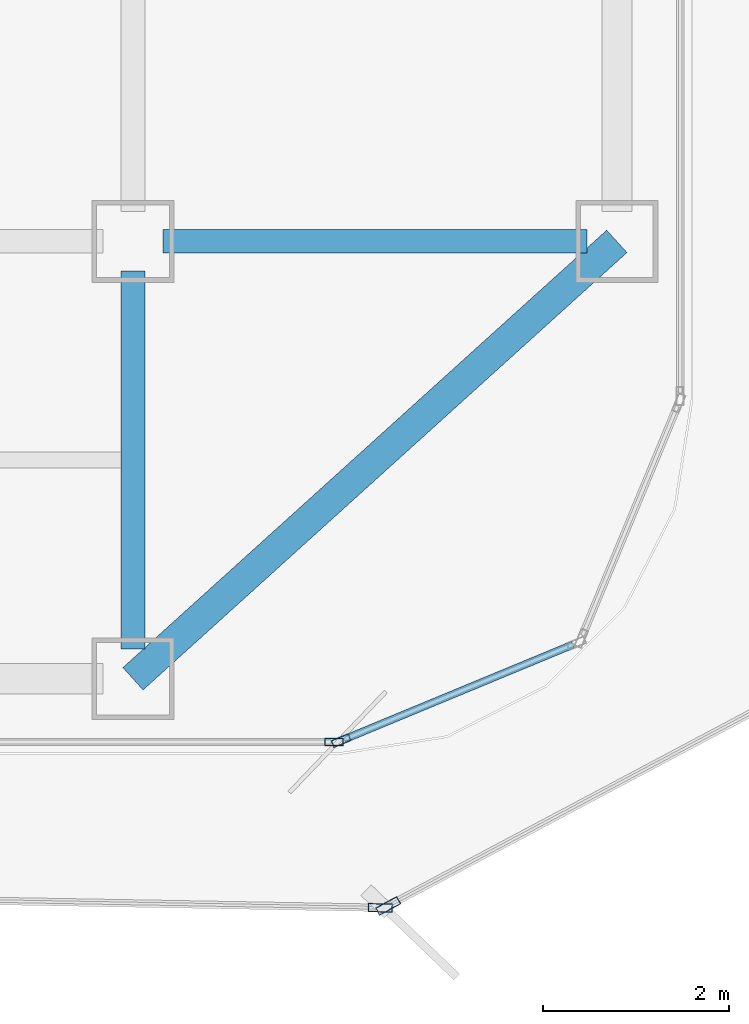
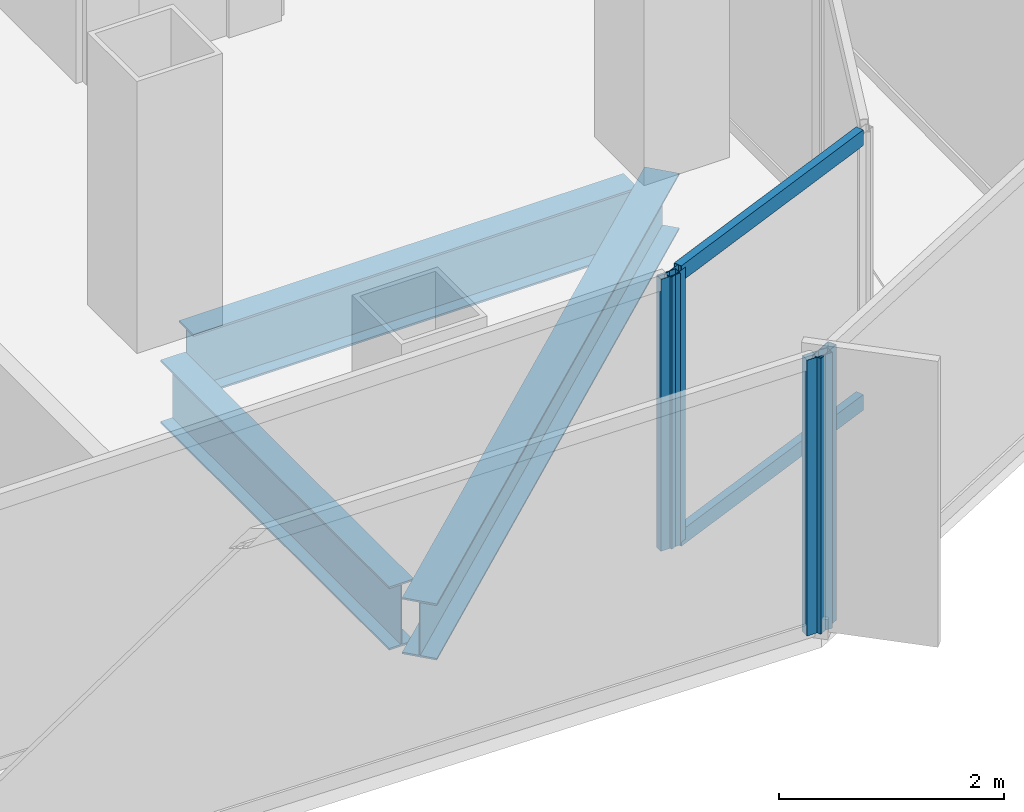
# One storey, part 6 of 21: 6 members, 3 beams, 4 elements without a shape of their own.
"""IFC4 building model written with IfcOpenShell, lengths in metres."""

import ifcopenshell
import ifcopenshell.guid

model = None  # the IFC model being written
_history = None  # IfcOwnerHistory: only IFC2X3 demands one
_inside = {}  # id of a spatial element -> (the spatial element, [elements in it])
_under = {}  # id of a project, library or spatial element -> (it, [spatial elements below it])
_declared = {}  # id of a project -> (the project, [libraries it declares])
_typed = {}  # id of a type object -> (the type object, [elements of that type])
_made_of = {}  # id of a material, layer set ... -> (it, [elements and type objects made of it])


def new_model(schema):
    """Start an empty IFC model of exactly this schema.

    Asked for "IFC4X3", IfcOpenShell would pick the latest addendum, in which some entities
    have other attributes; the version numbers below select the first issue.
    IFC2X3 requires an IfcOwnerHistory on every rooted entity: one is made here for all.
    """
    global model, _history
    if schema == "IFC4X3":
        model = ifcopenshell.file(schema_version=(4, 3, 0, 0))
    else:
        model = ifcopenshell.file(schema=schema)
    _inside.clear()
    _under.clear()
    _declared.clear()
    _typed.clear()
    _made_of.clear()
    _history = None
    if model.schema == "IFC2X3":
        org = make("IfcOrganization", Name="unknown")
        user = make(
            "IfcPersonAndOrganization",
            ThePerson=make("IfcPerson", FamilyName="unknown"),
            TheOrganization=org,
        )
        app = make(
            "IfcApplication",
            ApplicationDeveloper=org,
            Version="unknown",
            ApplicationFullName="unknown",
            ApplicationIdentifier="unknown",
        )
        _history = make(
            "IfcOwnerHistory",
            OwningUser=user,
            OwningApplication=app,
            ChangeAction="ADDED",
            CreationDate=0,
        )
    return model


def make(cls, **values):
    """One entity of the class cls with the attributes given. An attribute that is None is left unset."""
    return model.create_entity(
        cls, **{name: value for name, value in values.items() if value is not None}
    )


def rooted(cls, **values):
    """An entity with a GlobalId (a new one), such as an element, a storey or a relation."""
    return make(cls, GlobalId=ifcopenshell.guid.new(), OwnerHistory=_history, **values)


def si_unit(unit_type, name, prefix=None):
    """IfcSIUnit, for example si_unit("LENGTHUNIT", "METRE", prefix="MILLI")."""
    return make("IfcSIUnit", UnitType=unit_type, Prefix=prefix, Name=name)


def assignment(units):
    """IfcUnitAssignment: the units of a project."""
    return None if units is None else make("IfcUnitAssignment", Units=units)


def point(xyz):
    """IfcCartesianPoint."""
    return None if xyz is None else make("IfcCartesianPoint", Coordinates=xyz)


def direction(xyz):
    """IfcDirection."""
    return None if xyz is None else make("IfcDirection", DirectionRatios=xyz)


def frame(location, z_axis=None, x_axis=None):
    """IfcAxis2Placement3D, a coordinate frame: its origin and axes. An axis left out is left unset."""
    return make(
        "IfcAxis2Placement3D",
        Location=point(location),
        Axis=direction(z_axis),
        RefDirection=direction(x_axis),
    )


def frame_2d(location, x_axis=None):
    """IfcAxis2Placement2D, a coordinate frame in the plane: its origin and x axis."""
    return make(
        "IfcAxis2Placement2D", Location=point(location), RefDirection=direction(x_axis)
    )


def origin():
    """The frame at (0, 0, 0) with its axes left unset."""
    return frame((0.0, 0.0, 0.0))


def origin_2d():
    """The frame at (0, 0) in the plane with its x axis left unset."""
    return frame_2d((0.0, 0.0))


def place(relative_to, where):
    """IfcLocalPlacement: puts the frame where relative to a parent placement (None: the world)."""
    return make(
        "IfcLocalPlacement", PlacementRelTo=relative_to, RelativePlacement=where
    )


def context(
    kind, dimensions, precision=None, world=None, true_north=None, identifier=None
):
    """IfcGeometricRepresentationContext, for example the 3D "Model" context."""
    return make(
        "IfcGeometricRepresentationContext",
        ContextIdentifier=identifier,
        ContextType=kind,
        CoordinateSpaceDimension=dimensions,
        Precision=precision,
        WorldCoordinateSystem=world,
        TrueNorth=true_north,
    )


def subcontext(parent, identifier, kind, view, scale=None):
    """IfcGeometricRepresentationSubContext, for example "Body" below "Model"."""
    return make(
        "IfcGeometricRepresentationSubContext",
        ContextIdentifier=identifier,
        ContextType=kind,
        ParentContext=parent,
        TargetScale=scale,
        TargetView=view,
    )


def project(units=None, contexts=None):
    """IfcProject with its units and contexts."""
    return rooted(
        "IfcProject",
        Name="project",
        RepresentationContexts=contexts,
        UnitsInContext=assignment(units),
    )


def spatial(cls, under=None, at=None, **own):
    """A site, building, storey or space (cls), placed at a placement, below another one or the project."""
    s = rooted(cls, ObjectPlacement=at, **own)
    if under is not None:
        _under.setdefault(under.id(), (under, []))[1].append(s)
    return s


def profile(cls, at=None, kind="AREA", **sizes):
    """A parametric profile (cls). Its sizes go by their IFC names, for example OverallWidth=200.0."""
    return make(cls, ProfileType=kind, Position=at, **sizes)


def hollow_rectangle(**sizes):
    """IfcRectangleHollowProfileDef."""
    return profile("IfcRectangleHollowProfileDef", **sizes)


def i_section(**sizes):
    """IfcIShapeProfileDef."""
    return profile("IfcIShapeProfileDef", **sizes)


def extrude(swept, where, along, depth):
    """IfcExtrudedAreaSolid: the profile swept, set in the frame where, extruded along a direction by depth."""
    return make(
        "IfcExtrudedAreaSolid",
        SweptArea=swept,
        Position=where,
        ExtrudedDirection=direction(along),
        Depth=depth,
    )


def shape(context_of_items, identifier, shape_type, items):
    """IfcShapeRepresentation: the items that make up one representation, for example the "Body"."""
    return make(
        "IfcShapeRepresentation",
        ContextOfItems=context_of_items,
        RepresentationIdentifier=identifier,
        RepresentationType=shape_type,
        Items=items,
    )


def source(mapping_origin, context_of_items, identifier, shape_type, items):
    """IfcRepresentationMap: a shape defined once, which mapped items show again and again."""
    return make(
        "IfcRepresentationMap",
        MappingOrigin=mapping_origin,
        MappedRepresentation=shape(context_of_items, identifier, shape_type, items),
    )


def transform(
    local_origin,
    x_axis=None,
    y_axis=None,
    z_axis=None,
    scale=None,
    scale2=None,
    scale3=None,
    uniform=True,
):
    """IfcCartesianTransformationOperator3D, or its non-uniform kind. x_axis, y_axis, z_axis: its Axis1, 2, 3."""
    if uniform:
        return make(
            "IfcCartesianTransformationOperator3D",
            Axis1=direction(x_axis),
            Axis2=direction(y_axis),
            LocalOrigin=point(local_origin),
            Scale=scale,
            Axis3=direction(z_axis),
        )
    return make(
        "IfcCartesianTransformationOperator3DnonUniform",
        Axis1=direction(x_axis),
        Axis2=direction(y_axis),
        LocalOrigin=point(local_origin),
        Scale=scale,
        Axis3=direction(z_axis),
        Scale2=scale2,
        Scale3=scale3,
    )


def mapped(mapping_source, mapping_target):
    """IfcMappedItem: shows the shape of a source again, moved by a transform."""
    return make(
        "IfcMappedItem", MappingSource=mapping_source, MappingTarget=mapping_target
    )


def material(Name=None, Category=None):
    """IfcMaterial."""
    return make("IfcMaterial", Name=Name, Category=Category)


def layer(
    of_material, thickness, ventilated=None, Name=None, Category=None, Priority=None
):
    """IfcMaterialLayer: one layer of a wall or slab, of a material (None: an air gap)."""
    return make(
        "IfcMaterialLayer",
        Material=of_material,
        LayerThickness=thickness,
        IsVentilated=ventilated,
        Name=Name,
        Category=Category,
        Priority=Priority,
    )


def layer_set(layers, Name=None):
    """IfcMaterialLayerSet."""
    return make("IfcMaterialLayerSet", MaterialLayers=layers, LayerSetName=Name)


def material_profile(
    of_material, cross_section, Name=None, Category=None, Priority=None
):
    """IfcMaterialProfile: a cross section and its material."""
    return make(
        "IfcMaterialProfile",
        Name=Name,
        Material=of_material,
        Profile=cross_section,
        Priority=Priority,
        Category=Category,
    )


def profile_set(profiles, Name=None, composite=None):
    """IfcMaterialProfileSet."""
    return make(
        "IfcMaterialProfileSet",
        Name=Name,
        MaterialProfiles=profiles,
        CompositeProfile=composite,
    )


def made_of(thing, what):
    """Note that an element or type object is made of a material, layer set ...; save() writes the relation."""
    if what is not None:
        _made_of.setdefault(what.id(), (what, []))[1].append(thing)
    return thing


def type_object(cls, material=None, **own):
    """A type object (cls), such as IfcWallType, which elements share."""
    return made_of(rooted(cls, **own), material)


def element(
    cls,
    number,
    at=None,
    inside=None,
    cuts=None,
    type_object=None,
    material=None,
    context=None,
    identifier="Body",
    shape_type=None,
    held_by="IfcProductDefinitionShape",
    body=None,
    shapes=None,
    **own,
):
    """One element of the class cls, such as IfcWall. Its Tag is "e" and its number.

    at: its placement. inside: the storey or other place that contains it. cuts: it is an
    opening in that element (IfcRelVoidsElement). A single representation is given by context,
    identifier, shape_type and body (its items); several are given by shapes. held_by: the class
    of the entity that holds the representations. save() writes the other relations.
    """
    e = rooted(cls, Tag="e%d" % number, ObjectPlacement=at, **own)
    if body is not None:
        shapes = [shape(context, identifier, shape_type, body)]
    if shapes is not None:
        e.Representation = make(held_by, Representations=shapes)
    if inside is not None:
        _inside.setdefault(inside.id(), (inside, []))[1].append(e)
    if cuts is not None:
        rooted(
            "IfcRelVoidsElement", RelatingBuildingElement=cuts, RelatedOpeningElement=e
        )
    if type_object is not None:
        _typed.setdefault(type_object.id(), (type_object, []))[1].append(e)
    return made_of(e, material)


def aggregate(whole, parts):
    """IfcRelAggregates: a whole, such as a stair, and the parts it consists of."""
    return rooted("IfcRelAggregates", RelatingObject=whole, RelatedObjects=parts)


def save(model, path):
    """Write the relations noted so far, then the file.

    IfcRelAggregates (storeys below a building ...), IfcRelContainedInSpatialStructure (elements
    in a storey), IfcRelDefinesByType, IfcRelAssociatesMaterial and IfcRelDeclares: one each for
    every whole, place, type object, material and project.
    """
    for whole, parts in _under.values():
        aggregate(whole, parts)
    for where, things in _inside.values():
        rooted(
            "IfcRelContainedInSpatialStructure",
            RelatedElements=things,
            RelatingStructure=where,
        )
    for kind, things in _typed.values():
        rooted("IfcRelDefinesByType", RelatedObjects=things, RelatingType=kind)
    for what, things in _made_of.values():
        rooted("IfcRelAssociatesMaterial", RelatedObjects=things, RelatingMaterial=what)
    for by, libraries in _declared.values():
        rooted("IfcRelDeclares", RelatingContext=by, RelatedDefinitions=libraries)
    model.write(path)


model = new_model("IFC4")

# Units and contexts
model_context = context("Model", 3, precision=1e-05, world=origin(), true_north=direction((0.0, 1.0)))
body_context = subcontext(model_context, "Body", "Model", "MODEL_VIEW")
ifc_project = project(units=[si_unit("LENGTHUNIT", "METRE"), si_unit("AREAUNIT", "SQUARE_METRE"), si_unit("VOLUMEUNIT", "CUBIC_METRE"), si_unit("PLANEANGLEUNIT", "RADIAN"), si_unit("MASSUNIT", "GRAM", prefix="KILO")], contexts=[model_context])

# Site, building, storey
site_placement = place(None, origin())
site = spatial("IfcSite", under=ifc_project, at=site_placement, CompositionType="ELEMENT")
building_placement = place(site_placement, origin())
building = spatial("IfcBuilding", under=site, at=building_placement, Name="Kolveth Station Tower", CompositionType="ELEMENT")
storey_placement = place(building_placement, frame((0.0, 0.0, 127.89990234375)))
storey = spatial("IfcBuildingStorey", under=building, at=storey_placement, Name="L35", CompositionType="ELEMENT", Elevation=127.89990234375)

# Beams
ifc_material_1 = material(Name="Steel S355", Category="steel")
ifc_material_profile_1 = material_profile(ifc_material_1, i_section(OverallWidth=0.323974609375, OverallDepth=0.611083984375, WebThickness=0.0126953125, FlangeThickness=0.01904296875, at=origin_2d()), Name="W610x155")
ifc_profile_set_1 = profile_set([ifc_material_profile_1], Name="Steel S355")
beam_type_1 = type_object("IfcBeamType", Name="Beam_SP2", PredefinedType="SPANDREL", material=ifc_profile_set_1)
shared_shape_1 = source(origin(), body_context, "Body", "SweptSolid", [
    extrude(i_section(OverallWidth=0.323974609375, OverallDepth=0.611083984375, WebThickness=0.0126953125, FlangeThickness=0.01904296875, at=origin_2d()), origin(), (0.0, 0.0, 1.0), 7.00927734375),
])
beam_1_placement = place(storey_placement, frame((41.0, 0.800048828125, -0.555419921875), z_axis=(0.741874009795, 0.670539300557, 0.0), x_axis=(-0.670539300557, 0.741874009795, 0.0)))
element("IfcBeam", 1, at=beam_1_placement, inside=storey, type_object=beam_type_1, Name="L35 Corner Edge Girder BM-L35-CNR-SE", PredefinedType="SPANDREL", context=body_context, shape_type="MappedRepresentation", body=[
    mapped(shared_shape_1, transform((0.0, 0.0, 0.0), x_axis=(1.0, 0.0, 0.0), y_axis=(0.0, 1.0, 0.0), z_axis=(0.0, 0.0, 1.0), scale=1.0)),
])
ifc_material_profile_2 = material_profile(ifc_material_1, i_section(OverallWidth=0.25390625, OverallDepth=0.68798828125, WebThickness=0.01318359375, FlangeThickness=0.02099609375, at=origin_2d()), Name="W690x152")
ifc_profile_set_2 = profile_set([ifc_material_profile_2], Name="Steel S355")
beam_type_2 = type_object("IfcBeamType", Name="Beam_B4", PredefinedType="BEAM", material=ifc_profile_set_2)
shared_shape_2 = source(origin(), body_context, "Body", "SweptSolid", [
    extrude(i_section(OverallWidth=0.25390625, OverallDepth=0.68798828125, WebThickness=0.01318359375, FlangeThickness=0.02099609375, at=origin_2d()), origin(), (0.0, 0.0, 1.0), 4.559814453125),
])
beam_2_placement = place(storey_placement, frame((41.320068359375, 5.5, -0.593994140625), z_axis=(1.0, 0.0, 0.0), x_axis=(0.0, 1.0, 0.0)))
element("IfcBeam", 2, at=beam_2_placement, inside=storey, type_object=beam_type_2, Name="L35 Primary Girder BM-L35-GY55-7", PredefinedType="BEAM", context=body_context, shape_type="MappedRepresentation", body=[
    mapped(shared_shape_2, transform((0.0, 0.0, 0.0), x_axis=(1.0, 0.0, 0.0), y_axis=(0.0, 1.0, 0.0), z_axis=(0.0, 0.0, 1.0), scale=1.0)),
])
shared_shape_3 = source(origin(), body_context, "Body", "SweptSolid", [
    extrude(i_section(OverallWidth=0.25390625, OverallDepth=0.68798828125, WebThickness=0.01318359375, FlangeThickness=0.02099609375, at=origin_2d()), origin(), (0.0, 0.0, 1.0), 4.059814453125),
])
beam_3_placement = place(storey_placement, frame((41.0, 1.1201171875, -0.593994140625), z_axis=(0.0, 1.0, 0.0), x_axis=(-1.0, 0.0, 0.0)))
element("IfcBeam", 3, at=beam_3_placement, inside=storey, type_object=beam_type_2, Name="L35 Primary Girder BM-L35-GX410-1", PredefinedType="BEAM", context=body_context, shape_type="MappedRepresentation", body=[
    mapped(shared_shape_3, transform((0.0, 0.0, 0.0), x_axis=(1.0, 0.0, 0.0), y_axis=(0.0, 1.0, 0.0), z_axis=(0.0, 0.0, 1.0), scale=1.0)),
])

# Curtain wall, members
ifc_material_2 = material(Name="Aluminium 6063-T6 and low-E dark glass", Category="aluminium")
ifc_layer_1 = layer(ifc_material_2, 0.18994140625)
ifc_layer_set_1 = layer_set([ifc_layer_1], Name="Aluminium 6063-T6 and low-E dark glass")
curtain_wall_type_1 = type_object("IfcCurtainWallType", Name="CurtainWall_CW-Z2", PredefinedType="NOTDEFINED", material=ifc_layer_set_1)
curtain_wall_1_placement = place(storey_placement, origin())
curtain_wall_1 = element("IfcCurtainWall", 4, at=curtain_wall_1_placement, inside=storey, type_object=curtain_wall_type_1, Name="L35 Inner Thermal Curtain Wall 1", PredefinedType="NOTDEFINED")
ifc_material_3 = material(Name="Black anodized aluminium 6063-T6", Category="aluminium")
ifc_material_profile_3 = material_profile(ifc_material_3, hollow_rectangle(XDim=0.080078125, YDim=0.169921875, WallThickness=0.0048828125, at=origin_2d()), Name="ALU-80x170x5")
ifc_profile_set_3 = profile_set([ifc_material_profile_3], Name="Black anodized aluminium 6063-T6")
member_type_1 = type_object("IfcMemberType", Name="Transom_TR2", PredefinedType="USERDEFINED", material=ifc_profile_set_3)
shared_shape_4 = source(origin(), body_context, "Body", "SweptSolid", [
    extrude(hollow_rectangle(XDim=0.080078125, YDim=0.169921875, WallThickness=0.0048828125, at=origin_2d()), origin(), (0.0, 0.0, 1.0), 2.656494140625),
])
member_1_placement = place(storey_placement, frame((43.27392578125, 0.150634765625, 0.0400390625), z_axis=(0.923882422403, 0.382676455475, 0.0), x_axis=(-0.382676455475, 0.923882422403, 0.0)))
member_1 = element("IfcMember", 5, at=member_1_placement, type_object=member_type_1, Name="CW-Z2 transom 1.1", ObjectType="TRANSOM", PredefinedType="USERDEFINED", context=body_context, shape_type="MappedRepresentation", body=[
    mapped(shared_shape_4, transform((0.0, 0.0, 0.0), x_axis=(1.0, 0.0, 0.0), y_axis=(0.0, 1.0, 0.0), z_axis=(0.0, 0.0, 1.0), scale=1.0)),
])
member_2_placement = place(storey_placement, frame((43.27392578125, 0.150634765625, 2.91015625), z_axis=(0.923882422403, 0.382676455475, 0.0), x_axis=(-0.382676455475, 0.923882422403, 0.0)))
member_2 = element("IfcMember", 6, at=member_2_placement, type_object=member_type_1, Name="CW-Z2 transom 1.2", ObjectType="TRANSOM", PredefinedType="USERDEFINED", context=body_context, shape_type="MappedRepresentation", body=[
    mapped(shared_shape_4, transform((0.0, 0.0, 0.0), x_axis=(1.0, 0.0, 0.0), y_axis=(0.0, 1.0, 0.0), z_axis=(0.0, 0.0, 1.0), scale=1.0)),
])

# Curtain wall, member
ifc_material_4 = material(Name="Black anodized aluminium 6063-T6 and dark solar glass", Category="aluminium")
ifc_layer_2 = layer(ifc_material_4, 0.159912109375)
ifc_layer_set_2 = layer_set([ifc_layer_2], Name="Black anodized aluminium 6063-T6 and dark solar glass")
curtain_wall_type_2 = type_object("IfcCurtainWallType", Name="OUTER SKIN CW-OS", PredefinedType="NOTDEFINED", material=ifc_layer_set_2)
curtain_wall_2_placement = place(storey_placement, origin())
curtain_wall_2 = element("IfcCurtainWall", 7, at=curtain_wall_2_placement, inside=storey, type_object=curtain_wall_type_2, Name="L35 Outer Ventilated Skin Curtain Wall 1", PredefinedType="NOTDEFINED")
ifc_material_profile_4 = material_profile(ifc_material_3, hollow_rectangle(XDim=0.090087890625, YDim=0.260009765625, WallThickness=0.0048828125, at=origin_2d()), Name="ALU-90x260x5")
ifc_profile_set_4 = profile_set([ifc_material_profile_4], Name="Black anodized aluminium 6063-T6")
member_type_2 = type_object("IfcMemberType", Name="FIN MULLION ML-OS", PredefinedType="MULLION", material=ifc_profile_set_4)
shared_shape_5 = source(origin(), body_context, "Body", "SweptSolid", [
    extrude(hollow_rectangle(XDim=0.090087890625, YDim=0.260009765625, WallThickness=0.0048828125, at=origin_2d()), origin(), (0.0, 0.0, 1.0), 2.989990234375),
])
member_3_placement = place(storey_placement, frame((43.742919921875, -1.641357421875, 0.0), z_axis=(0.0, 0.0, 1.0), x_axis=(-0.469319754743, 0.883028293889, 0.0)))
member_3 = element("IfcMember", 8, at=member_3_placement, type_object=member_type_2, Name="CW-OS mullion 1", PredefinedType="MULLION", context=body_context, shape_type="MappedRepresentation", body=[
    mapped(shared_shape_5, transform((0.0, 0.0, 0.0), x_axis=(1.0, 0.0, 0.0), y_axis=(0.0, 1.0, 0.0), z_axis=(0.0, 0.0, 1.0), scale=1.0)),
])
aggregate(curtain_wall_2, [member_3])

curtain_wall_3_placement = place(storey_placement, origin())
curtain_wall_3 = element("IfcCurtainWall", 9, at=curtain_wall_3_placement, inside=storey, type_object=curtain_wall_type_2, Name="L35 Outer Ventilated Skin Curtain Wall 8", PredefinedType="NOTDEFINED")
member_4_placement = place(storey_placement, frame((43.658203125, -1.66162109375, 0.0), z_axis=(0.0, 0.0, 1.0), x_axis=(0.017555621297, 0.999845888205, 0.0)))
member_4 = element("IfcMember", 10, at=member_4_placement, type_object=member_type_2, Name="CW-OS mullion 2", PredefinedType="MULLION", context=body_context, shape_type="MappedRepresentation", body=[
    mapped(shared_shape_5, transform((0.0, 0.0, 0.0), x_axis=(1.0, 0.0, 0.0), y_axis=(0.0, 1.0, 0.0), z_axis=(0.0, 0.0, 1.0), scale=1.0)),
])
aggregate(curtain_wall_3, [member_4])

# Member
ifc_material_profile_5 = material_profile(ifc_material_3, hollow_rectangle(XDim=0.080078125, YDim=0.199951171875, WallThickness=0.0048828125, at=origin_2d()), Name="ALU-80x200x5")
ifc_profile_set_5 = profile_set([ifc_material_profile_5], Name="Black anodized aluminium 6063-T6")
member_type_3 = type_object("IfcMemberType", Name="Mullion_ML2", PredefinedType="MULLION", material=ifc_profile_set_5)
shared_shape_6 = source(origin(), body_context, "Body", "SweptSolid", [
    extrude(hollow_rectangle(XDim=0.080078125, YDim=0.199951171875, WallThickness=0.0048828125, at=origin_2d()), origin(), (0.0, 0.0, 1.0), 2.9501953125),
])
member_5_placement = place(storey_placement, frame((43.237060546875, 0.13525390625, 0.0), z_axis=(0.0, 0.0, 1.0), x_axis=(-0.38266326998, 0.923887883787, 0.0)))
member_5 = element("IfcMember", 11, at=member_5_placement, type_object=member_type_3, Name="CW-Z2 mullion 1", PredefinedType="MULLION", context=body_context, shape_type="MappedRepresentation", body=[
    mapped(shared_shape_6, transform((0.0, 0.0, 0.0), x_axis=(1.0, 0.0, 0.0), y_axis=(0.0, 1.0, 0.0), z_axis=(0.0, 0.0, 1.0), scale=1.0)),
])

aggregate(curtain_wall_1, [member_5, member_1, member_2])

# Curtain wall, member
curtain_wall_4_placement = place(storey_placement, origin())
curtain_wall_4 = element("IfcCurtainWall", 12, at=curtain_wall_4_placement, inside=storey, type_object=curtain_wall_type_1, Name="L35 Inner Thermal Curtain Wall 12", PredefinedType="NOTDEFINED")
member_6_placement = place(storey_placement, frame((43.159912109375, 0.1201171875, 0.0), z_axis=(0.0, 0.0, 1.0), x_axis=(0.0, 1.0, 0.0)))
member_6 = element("IfcMember", 13, at=member_6_placement, type_object=member_type_3, Name="CW-Z2 mullion 3", PredefinedType="MULLION", context=body_context, shape_type="MappedRepresentation", body=[
    mapped(shared_shape_6, transform((0.0, 0.0, 0.0), x_axis=(1.0, 0.0, 0.0), y_axis=(0.0, 1.0, 0.0), z_axis=(0.0, 0.0, 1.0), scale=1.0)),
])
aggregate(curtain_wall_4, [member_6])

save(model, "model.ifc")
